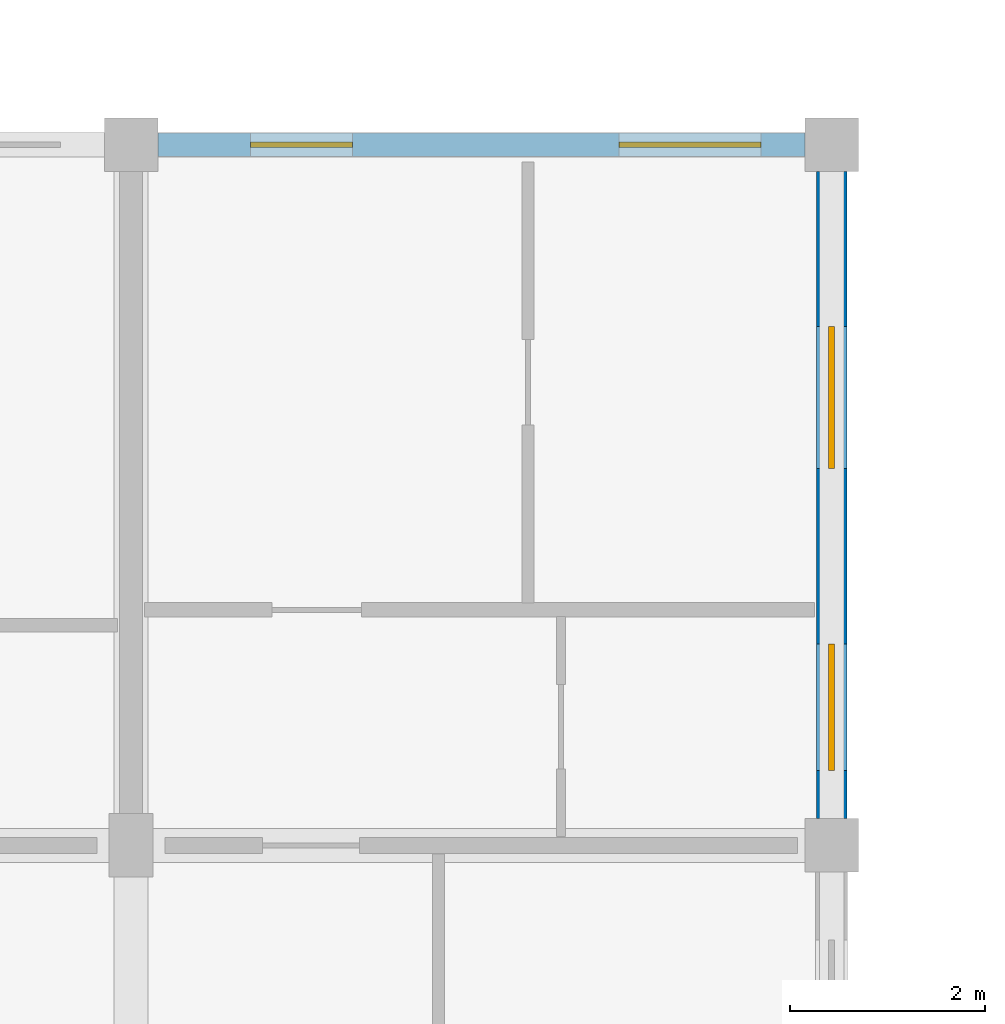
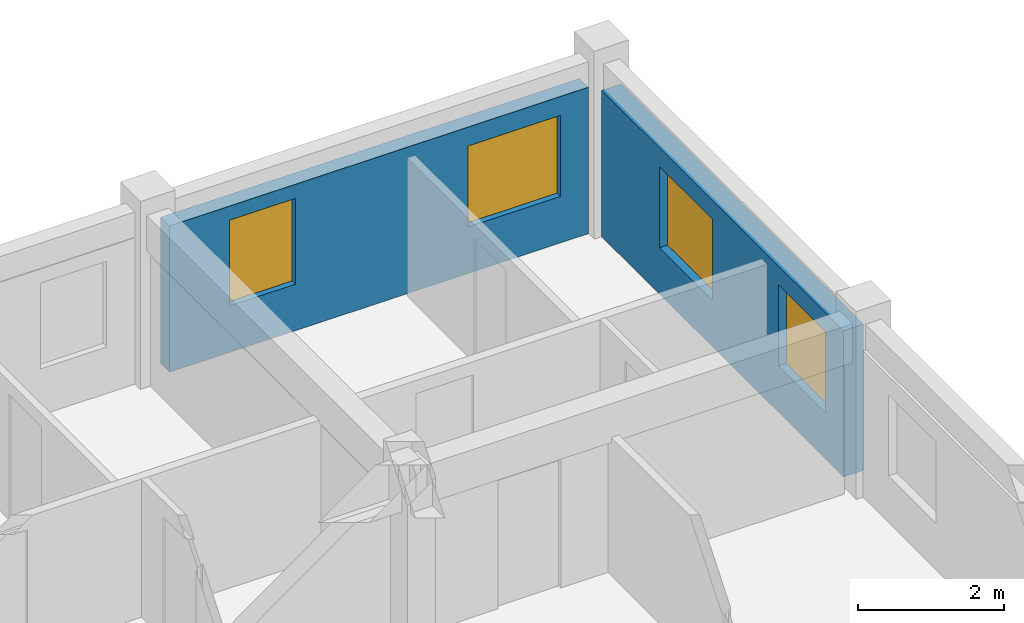
# One storey, part 72 of 77: 4 windows, 2 walls, 4 openings.
"""IFC4 building model written with IfcOpenShell, lengths in metres."""

from ifc_helpers import new_model, si_unit, direction, frame, frame_2d, origin, place, context, subcontext, project, spatial, rectangle, extrude, material, layer, layer_set, type_object, element, fill, save


model = new_model("IFC4")

# Units and contexts
model_context = context("Model", 3, precision=1e-05, world=origin(), true_north=direction((0.0, 1.0)))
body_context = subcontext(model_context, "Body", "Model", "MODEL_VIEW")
ifc_project = project(units=[si_unit("LENGTHUNIT", "METRE"), si_unit("AREAUNIT", "SQUARE_METRE"), si_unit("VOLUMEUNIT", "CUBIC_METRE"), si_unit("PLANEANGLEUNIT", "RADIAN"), si_unit("MASSUNIT", "GRAM", prefix="KILO"), si_unit("THERMODYNAMICTEMPERATUREUNIT", "KELVIN"), si_unit("POWERUNIT", "WATT")], contexts=[model_context])

# Site, building, storey
site_placement = place(None, origin())
site = spatial("IfcSite", under=ifc_project, at=site_placement, CompositionType="ELEMENT")
building_placement = place(site_placement, origin())
building = spatial("IfcBuilding", under=site, at=building_placement, Name="Tavuni Mirador Residences", CompositionType="ELEMENT")
storey_placement = place(building_placement, frame((0.0, 0.0, 17.10009765625)))
storey = spatial("IfcBuildingStorey", under=building, at=storey_placement, Name="L05", CompositionType="ELEMENT", Elevation=17.10009765625)

# Wall, openings, windows
ifc_material_1 = material(Name="Sgraffito lime-rendered precast concrete C40/50", Category="concrete")
ifc_layer_1 = layer(ifc_material_1, 0.2451171875, Name="Sgraffito lime-rendered precast concrete C40/50", Category="concrete")
ifc_layer_set_1 = layer_set([ifc_layer_1], Name="Sgraffito lime-rendered precast concrete C40/50")
wall_type_1 = type_object("IfcWallType", Name="WT-EXT-PC245", PredefinedType="SOLIDWALL", material=ifc_layer_set_1)
wall_1_placement = place(storey_placement, frame((75.324951171875, 172.800048828125, 0.0), z_axis=(0.0, 0.0, 1.0), x_axis=(-1.0, 0.0, 0.0)))
wall_1 = element("IfcWall", 1, at=wall_1_placement, inside=storey, type_object=wall_type_1, Name="EW-BLK-C-L05-N08", PredefinedType="SOLIDWALL", context=body_context, shape_type="SweptSolid", body=[
    extrude(rectangle(XDim=6.64990234375, YDim=0.2451171875, at=frame_2d((3.324951171875, 0.0))), origin(), (0.0, 0.0, 1.0), 2.454833984375),
])
opening_1_placement = place(wall_1_placement, frame((0.449951171875, 0.0, 0.780029296875)))
opening_1 = element("IfcOpeningElement", 2, at=opening_1_placement, cuts=wall_1, Name="Opening WN-24", PredefinedType="OPENING", context=body_context, shape_type="SweptSolid", body=[
    extrude(rectangle(XDim=1.4599609375, YDim=1.360107421875, at=frame_2d((0.72998046875, 0.68017578125))), frame((0.0, 0.132568359375, 0.0), z_axis=(0.0, -1.0, 0.0), x_axis=(1.0, 0.0, 0.0)), (0.0, 0.0, 1.0), 0.26513671875),
])
opening_2_placement = place(wall_1_placement, frame((4.64990234375, 0.0, 0.780029296875)))
opening_2 = element("IfcOpeningElement", 3, at=opening_2_placement, cuts=wall_1, Name="Opening WN-26", PredefinedType="OPENING", context=body_context, shape_type="SweptSolid", body=[
    extrude(rectangle(XDim=1.050048828125, YDim=1.43994140625, at=frame_2d((0.52490234375, 0.719970703125))), frame((0.0, 0.132568359375, 0.0), z_axis=(0.0, -1.0, 0.0), x_axis=(1.0, 0.0, 0.0)), (0.0, 0.0, 1.0), 0.26513671875),
])
ifc_material_2 = material(Name="Laminated solar-control glass", Category="glass")
window_type_1 = type_object("IfcWindowType", Name="WNT-24", PartitioningType="SINGLE_PANEL", PredefinedType="WINDOW", material=ifc_material_2)
window_1_placement = place(opening_1_placement, origin())
window_1 = element("IfcWindow", 4, at=window_1_placement, inside=storey, type_object=window_type_1, Name="WIN-1068", OverallHeight=1.360107421875, OverallWidth=1.4599609375, PartitioningType="SINGLE_PANEL", PredefinedType="WINDOW", context=body_context, shape_type="SweptSolid", body=[
    extrude(rectangle(XDim=1.4599609375, YDim=1.360107421875, at=frame_2d((0.72998046875, 0.68017578125))), frame((0.0, 0.030029296875, 0.0), z_axis=(0.0, -1.0, 0.0), x_axis=(1.0, 0.0, 0.0)), (0.0, 0.0, 1.0), 0.06005859375),
])
fill(opening_1, window_1)
window_type_2 = type_object("IfcWindowType", Name="WNT-26", PartitioningType="SINGLE_PANEL", PredefinedType="WINDOW", material=ifc_material_2)
window_2_placement = place(opening_2_placement, origin())
window_2 = element("IfcWindow", 5, at=window_2_placement, inside=storey, type_object=window_type_2, Name="WIN-1069", OverallHeight=1.43994140625, OverallWidth=1.050048828125, PartitioningType="SINGLE_PANEL", PredefinedType="WINDOW", context=body_context, shape_type="SweptSolid", body=[
    extrude(rectangle(XDim=1.050048828125, YDim=1.43994140625, at=frame_2d((0.52490234375, 0.719970703125))), frame((0.0, 0.030029296875, 0.0), z_axis=(0.0, -1.0, 0.0), x_axis=(1.0, 0.0, 0.0)), (0.0, 0.0, 1.0), 0.06005859375),
])
fill(opening_2, window_2)

ifc_layer_2 = layer(ifc_material_1, 0.31494140625, Name="Sgraffito lime-rendered precast concrete C40/50", Category="concrete")
ifc_layer_set_2 = layer_set([ifc_layer_2], Name="Sgraffito lime-rendered precast concrete C40/50")
wall_type_2 = type_object("IfcWallType", Name="WT-EXT-PC315", PredefinedType="SOLIDWALL", material=ifc_layer_set_2)
wall_2_placement = place(storey_placement, frame((75.60009765625, 165.875, 0.0), z_axis=(0.0, 0.0, 1.0), x_axis=(0.0, 1.0, 0.0)))
wall_2 = element("IfcWall", 6, at=wall_2_placement, inside=storey, type_object=wall_type_2, Name="EW-BLK-C-L05-E03", PredefinedType="SOLIDWALL", context=body_context, shape_type="SweptSolid", body=[
    extrude(rectangle(XDim=6.64990234375, YDim=0.31494140625, at=frame_2d((3.324951171875, 0.0))), origin(), (0.0, 0.0, 1.0), 2.454833984375),
])
opening_3_placement = place(wall_2_placement, frame((0.492431640625, 0.0, 0.780029296875)))
opening_3 = element("IfcOpeningElement", 7, at=opening_3_placement, cuts=wall_2, Name="Opening WN-22", PredefinedType="OPENING", context=body_context, shape_type="SweptSolid", body=[
    extrude(rectangle(XDim=1.300048828125, YDim=1.360107421875, at=frame_2d((0.64990234375, 0.68017578125))), frame((0.0, 0.16748046875, 0.0), z_axis=(0.0, -1.0, 0.0), x_axis=(1.0, 0.0, 0.0)), (0.0, 0.0, 1.0), 0.3349609375),
])
opening_4_placement = place(wall_2_placement, frame((3.597412109375, 0.0, 0.780029296875)))
opening_4 = element("IfcOpeningElement", 8, at=opening_4_placement, cuts=wall_2, Name="Opening WN-24", PredefinedType="OPENING", context=body_context, shape_type="SweptSolid", body=[
    extrude(rectangle(XDim=1.4599609375, YDim=1.360107421875, at=frame_2d((0.72998046875, 0.68017578125))), frame((0.0, 0.16748046875, 0.0), z_axis=(0.0, -1.0, 0.0), x_axis=(1.0, 0.0, 0.0)), (0.0, 0.0, 1.0), 0.3349609375),
])
window_type_3 = type_object("IfcWindowType", Name="WNT-22", PartitioningType="SINGLE_PANEL", PredefinedType="WINDOW", material=ifc_material_2)
window_3_placement = place(opening_3_placement, origin())
window_3 = element("IfcWindow", 9, at=window_3_placement, inside=storey, type_object=window_type_3, Name="WIN-1066", OverallHeight=1.360107421875, OverallWidth=1.300048828125, PartitioningType="SINGLE_PANEL", PredefinedType="WINDOW", context=body_context, shape_type="SweptSolid", body=[
    extrude(rectangle(XDim=1.300048828125, YDim=1.360107421875, at=frame_2d((0.64990234375, 0.68017578125))), frame((0.0, 0.030029296875, 0.0), z_axis=(0.0, -1.0, 0.0), x_axis=(1.0, 0.0, 0.0)), (0.0, 0.0, 1.0), 0.06005859375),
])
fill(opening_3, window_3)
window_4_placement = place(opening_4_placement, origin())
window_4 = element("IfcWindow", 10, at=window_4_placement, inside=storey, type_object=window_type_1, Name="WIN-1067", OverallHeight=1.360107421875, OverallWidth=1.4599609375, PartitioningType="SINGLE_PANEL", PredefinedType="WINDOW", context=body_context, shape_type="SweptSolid", body=[
    extrude(rectangle(XDim=1.4599609375, YDim=1.360107421875, at=frame_2d((0.72998046875, 0.68017578125))), frame((0.0, 0.030029296875, 0.0), z_axis=(0.0, -1.0, 0.0), x_axis=(1.0, 0.0, 0.0)), (0.0, 0.0, 1.0), 0.06005859375),
])
fill(opening_4, window_4)

save(model, "model.ifc")
